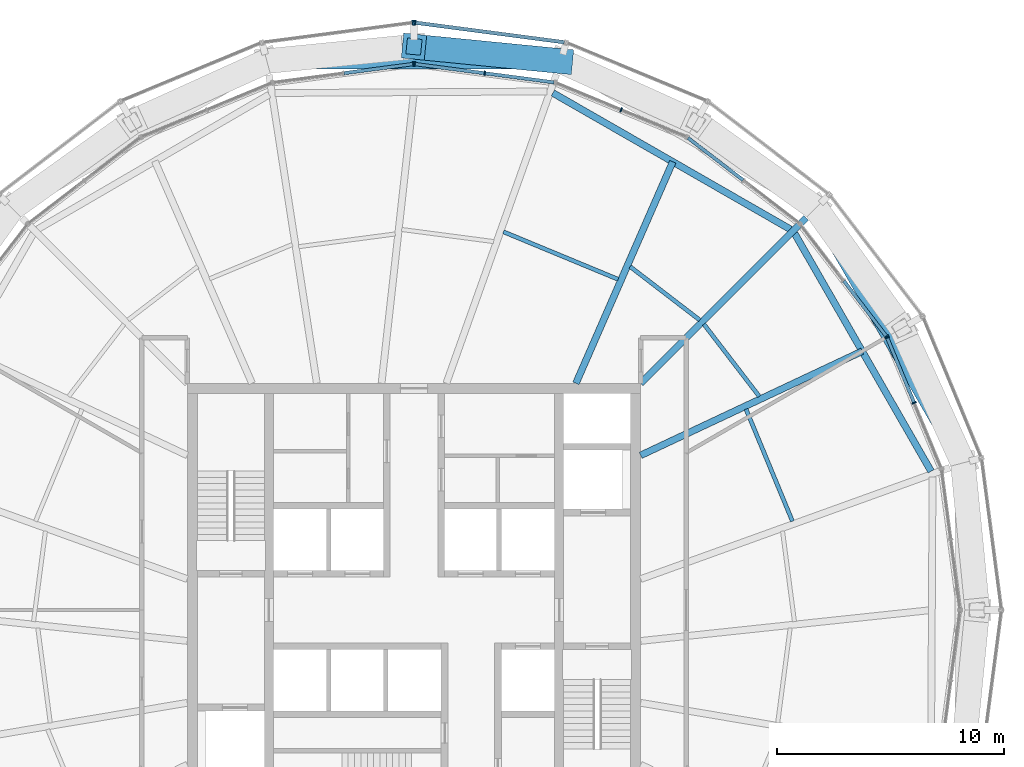
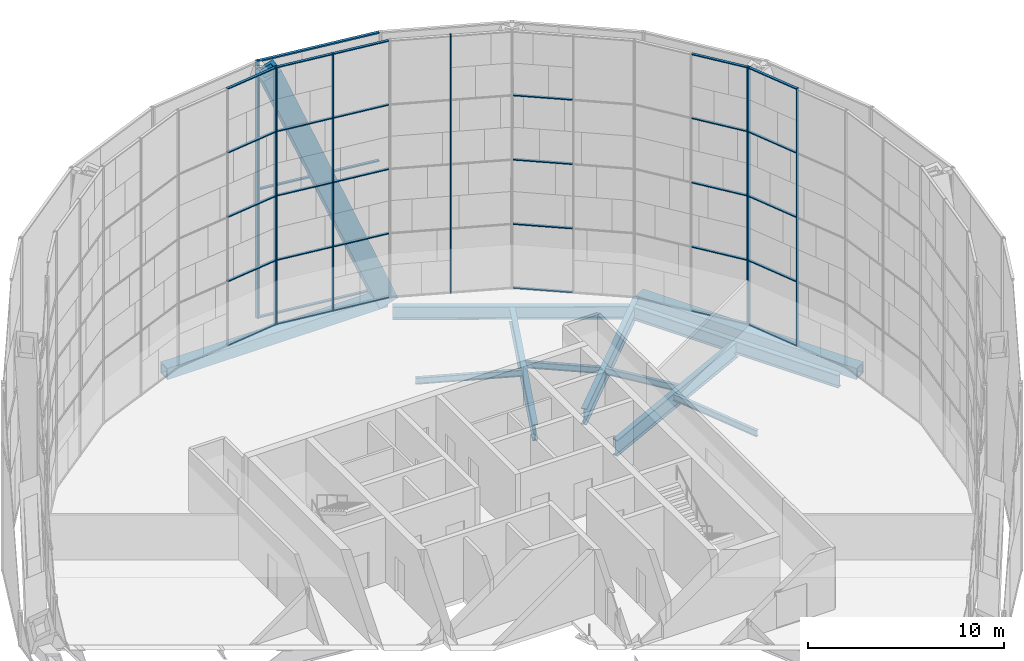
# One storey, part 10 of 30: 42 members, 11 beams, 8 elements without a shape of their own.
"""IFC4 building model written with IfcOpenShell, lengths in metres."""

from ifc_helpers import new_model, si_unit, direction, frame, origin, origin_2d, place, context, subcontext, project, spatial, rectangle, hollow_rectangle, i_section, extrude, material, material_profile, profile_set, type_object, element, aggregate, save


model = new_model("IFC4")

# Units and contexts
model_context = context("Model", 3, precision=1e-05, world=origin(), true_north=direction((0.0, 1.0)))
body_context = subcontext(model_context, "Body", "Model", "MODEL_VIEW")
ifc_project = project(units=[si_unit("LENGTHUNIT", "METRE"), si_unit("AREAUNIT", "SQUARE_METRE"), si_unit("VOLUMEUNIT", "CUBIC_METRE"), si_unit("PLANEANGLEUNIT", "RADIAN"), si_unit("MASSUNIT", "GRAM", prefix="KILO")], contexts=[model_context])

# Site, building, storey
site_placement = place(None, origin())
site = spatial("IfcSite", under=ifc_project, at=site_placement, CompositionType="ELEMENT")
building_placement = place(site_placement, origin())
building = spatial("IfcBuilding", under=site, at=building_placement, Name="Golbaran Civic Tower", CompositionType="ELEMENT")
storey_placement = place(building_placement, frame((0.0, 0.0, 167.0)))
storey = spatial("IfcBuildingStorey", under=building, at=storey_placement, Name="L40", CompositionType="ELEMENT", Elevation=167.0)

# Member
ifc_material_1 = material(Name="Steel S355", Category="steel")
ifc_material_profile_1 = material_profile(ifc_material_1, hollow_rectangle(XDim=1.10009765625, YDim=1.10009765625, WallThickness=0.199951171875, at=origin_2d()), Name="BOX 1100x1100x200")
ifc_profile_set_1 = profile_set([ifc_material_profile_1], Name="Steel S355")
member_type_1 = type_object("IfcMemberType", Name="DIAGRID DIAGONAL BOX 1100x1100x200", PredefinedType="BRACE", material=ifc_profile_set_1)
member_1_placement = place(storey_placement, frame((6.48681640625, 24.208984375, -0.7099609375), z_axis=(-0.375465296726, 0.036924758011, 0.92610062801), x_axis=(-0.097871849998, -0.995199025812, 0.0)))
element("IfcMember", 1, at=member_1_placement, inside=storey, type_object=member_type_1, Name="Diagonal D09-02R L40-L44", PredefinedType="BRACE", context=body_context, shape_type="SweptSolid", body=[
    extrude(hollow_rectangle(XDim=1.10009765625, YDim=1.10009765625, WallThickness=0.199951171875, at=origin_2d()), origin(), (0.0, 0.0, 1.0), 17.27685546875),
])

# Beams
ifc_material_profile_2 = material_profile(ifc_material_1, hollow_rectangle(XDim=0.699951171875, YDim=0.699951171875, WallThickness=0.080078125, at=origin_2d()), Name="BOX 700x700x80")
ifc_profile_set_2 = profile_set([ifc_material_profile_2], Name="Steel S355")
beam_type_1 = type_object("IfcBeamType", Name="DIAGRID RING TIE BOX 700x700x80", PredefinedType="BEAM", material=ifc_profile_set_2)
beam_1_placement = place(storey_placement, frame((24.208984375, 6.48681640625, -0.7099609375), z_axis=(-0.50000480732, 0.866022628259, 0.0), x_axis=(-0.866022628259, -0.50000480732, 0.0)))
element("IfcBeam", 2, at=beam_1_placement, inside=storey, type_object=beam_type_1, Name="Ring tie 15.00 L40", PredefinedType="BEAM", context=body_context, shape_type="SweptSolid", body=[
    extrude(hollow_rectangle(XDim=0.699951171875, YDim=0.699951171875, WallThickness=0.080078125, at=origin_2d()), origin(), (0.0, 0.0, 1.0), 12.973388671875),
])
beam_2_placement = place(storey_placement, frame((6.48681640625, 24.208984375, -0.7099609375), z_axis=(-1.0, 0.0, 0.0), x_axis=(0.0, -1.0, 0.0)))
element("IfcBeam", 3, at=beam_2_placement, inside=storey, type_object=beam_type_1, Name="Ring tie 75.00 L40", PredefinedType="BEAM", context=body_context, shape_type="SweptSolid", body=[
    extrude(hollow_rectangle(XDim=0.699951171875, YDim=0.699951171875, WallThickness=0.080078125, at=origin_2d()), origin(), (0.0, 0.0, 1.0), 12.9736328125),
])
ifc_material_profile_3 = material_profile(ifc_material_1, i_section(OverallWidth=0.300048828125, OverallDepth=0.800048828125, WebThickness=0.017578125, FlangeThickness=0.032958984375, FilletRadius=0.030029296875, at=origin_2d()), Name="HEB 800")
ifc_profile_set_3 = profile_set([ifc_material_profile_3], Name="Steel S355")
beam_type_2 = type_object("IfcBeamType", Name="EDGE BEAM HEB 800", PredefinedType="BEAM", material=ifc_profile_set_3)
beam_3_placement = place(storey_placement, frame((22.80615234375, 6.119140625, -0.60009765625), z_axis=(-0.497795229044, 0.867294592363, 0.0), x_axis=(-0.867294592363, -0.497795229044, 0.0)))
element("IfcBeam", 4, at=beam_3_placement, inside=storey, type_object=beam_type_2, Name="Edge beam 15.00 L40", PredefinedType="BEAM", context=body_context, shape_type="SweptSolid", body=[
    extrude(i_section(OverallWidth=0.300048828125, OverallDepth=0.800048828125, WebThickness=0.017578125, FlangeThickness=0.032958984375, FilletRadius=0.030029296875, at=origin_2d()), origin(), (0.0, 0.0, 1.0), 12.08935546875),
])
beam_4_placement = place(storey_placement, frame((16.604248046875, 16.7880859375, -0.60009765625), z_axis=(-0.867231771738, 0.497904663654, 0.0), x_axis=(-0.497904663654, -0.867231771738, 0.0)))
element("IfcBeam", 5, at=beam_4_placement, inside=storey, type_object=beam_type_2, Name="Edge beam 45.00 L40", PredefinedType="BEAM", context=body_context, shape_type="SweptSolid", body=[
    extrude(i_section(OverallWidth=0.300048828125, OverallDepth=0.800048828125, WebThickness=0.017578125, FlangeThickness=0.032958984375, FilletRadius=0.030029296875, at=origin_2d()), origin(), (0.0, 0.0, 1.0), 12.083740234375),
])
ifc_material_profile_4 = material_profile(ifc_material_1, i_section(OverallWidth=0.179931640625, OverallDepth=0.39990234375, WebThickness=0.008544921875, FlangeThickness=0.013427734375, FilletRadius=0.02099609375, at=origin_2d()), Name="IPE 400")
ifc_profile_set_4 = profile_set([ifc_material_profile_4], Name="Steel S355")
beam_type_3 = type_object("IfcBeamType", Name="FLOOR INFILL BEAM IPE 400", PredefinedType="BEAM", material=ifc_profile_set_4)
beam_5_placement = place(storey_placement, frame((16.69189453125, 3.9150390625, -0.39990234375), z_axis=(-0.382694171456, 0.923875084161, 0.0), x_axis=(-0.923875084161, -0.382694171456, 0.0)))
element("IfcBeam", 6, at=beam_5_placement, inside=storey, type_object=beam_type_3, Name="Infill beam 22.50 L40", PredefinedType="BEAM", context=body_context, shape_type="SweptSolid", body=[
    extrude(i_section(OverallWidth=0.179931640625, OverallDepth=0.39990234375, WebThickness=0.008544921875, FlangeThickness=0.013427734375, FilletRadius=0.02099609375, at=origin_2d()), origin(), (0.0, 0.0, 1.0), 5.35302734375),
])
beam_6_placement = place(storey_placement, frame((15.228271484375, 9.422607421875, -0.39990234375), z_axis=(-0.608780463794, 0.793338734024, 0.0), x_axis=(-0.793338734024, -0.608780463794, 0.0)))
element("IfcBeam", 7, at=beam_6_placement, inside=storey, type_object=beam_type_3, Name="Infill beam 37.50 L40", PredefinedType="BEAM", context=body_context, shape_type="SweptSolid", body=[
    extrude(i_section(OverallWidth=0.179931640625, OverallDepth=0.39990234375, WebThickness=0.008544921875, FlangeThickness=0.013427734375, FilletRadius=0.02099609375, at=origin_2d()), origin(), (0.0, 0.0, 1.0), 4.009521484375),
])
beam_7_placement = place(storey_placement, frame((12.603759765625, 12.78759765625, -0.39990234375), z_axis=(-0.793350421524, 0.608765232801, 0.0), x_axis=(-0.608765232801, -0.793350421524, 0.0)))
element("IfcBeam", 8, at=beam_7_placement, inside=storey, type_object=beam_type_3, Name="Infill beam 52.50 L40", PredefinedType="BEAM", context=body_context, shape_type="SweptSolid", body=[
    extrude(i_section(OverallWidth=0.179931640625, OverallDepth=0.39990234375, WebThickness=0.008544921875, FlangeThickness=0.013427734375, FilletRadius=0.02099609375, at=origin_2d()), origin(), (0.0, 0.0, 1.0), 3.8701171875),
])
beam_8_placement = place(storey_placement, frame((9.005126953125, 14.584228515625, -0.39990234375), z_axis=(-0.923892433922, 0.382652284119, 0.0), x_axis=(-0.382652284119, -0.923892433922, 0.0)))
element("IfcBeam", 9, at=beam_8_placement, inside=storey, type_object=beam_type_3, Name="Infill beam 67.50 L40", PredefinedType="BEAM", context=body_context, shape_type="SweptSolid", body=[
    extrude(i_section(OverallWidth=0.179931640625, OverallDepth=0.39990234375, WebThickness=0.008544921875, FlangeThickness=0.013427734375, FilletRadius=0.02099609375, at=origin_2d()), origin(), (0.0, 0.0, 1.0), 5.4775390625),
])

# Curtain wall, members
ifc_material_2 = material(Name="Aluminium and glass", Category="aluminium")
curtain_wall_type_1 = type_object("IfcCurtainWallType", Name="INNER SKIN CURTAIN WALL EXECUTIVE", PredefinedType="NOTDEFINED", material=ifc_material_2)
curtain_wall_1_placement = place(storey_placement, origin())
curtain_wall_1 = element("IfcCurtainWall", 10, at=curtain_wall_1_placement, inside=storey, type_object=curtain_wall_type_1, Name="Inner skin L40 facet 2 CW2", ObjectType="INNER SKIN", PredefinedType="USERDEFINED")
ifc_material_3 = material(Name="Aluminium", Category="aluminium")
ifc_material_profile_5 = material_profile(ifc_material_3, rectangle(XDim=0.199951171875, YDim=0.06005859375, at=origin_2d()), Name="INNER SKIN CURTAIN WALL EXECUTIVE MULLION")
ifc_profile_set_5 = profile_set([ifc_material_profile_5], Name="Aluminium")
member_type_2 = type_object("IfcMemberType", Name="INNER SKIN CURTAIN WALL EXECUTIVE MULLION", PredefinedType="MULLION", material=ifc_profile_set_5)
member_2_placement = place(storey_placement, frame((22.059326171875, 9.13720703125, 0.0), z_axis=(0.0, 0.0, 1.0), x_axis=(-0.923879532471, -0.382683432462, 0.0)))
member_2 = element("IfcMember", 11, at=member_2_placement, type_object=member_type_2, Name="CW2 mullion 2", PredefinedType="MULLION", context=body_context, shape_type="SweptSolid", body=[
    extrude(rectangle(XDim=0.199951171875, YDim=0.06005859375, at=origin_2d()), origin(), (0.0, 0.0, 1.0), 16.0),
])
member_3_placement = place(storey_placement, frame((20.867919921875, 12.013671875, 0.0), z_axis=(0.0, 0.0, 1.0), x_axis=(-0.923879532471, -0.382683432462, 0.0)))
member_3 = element("IfcMember", 12, at=member_3_placement, type_object=member_type_2, Name="CW2 mullion 3", PredefinedType="MULLION", context=body_context, shape_type="SweptSolid", body=[
    extrude(rectangle(XDim=0.199951171875, YDim=0.06005859375, at=origin_2d()), origin(), (0.0, 0.0, 1.0), 16.0),
])

# Curtain wall, member
curtain_wall_2_placement = place(storey_placement, origin())
curtain_wall_2 = element("IfcCurtainWall", 13, at=curtain_wall_2_placement, inside=storey, type_object=curtain_wall_type_1, Name="Inner skin L40 facet 3 CW2", ObjectType="INNER SKIN", PredefinedType="USERDEFINED")
member_4_placement = place(storey_placement, frame((20.838134765625, 12.065185546875, 0.0), z_axis=(0.0, 0.0, 1.0), x_axis=(-0.79335334027, -0.608761429036, 0.0)))
member_4 = element("IfcMember", 14, at=member_4_placement, type_object=member_type_2, Name="CW2 mullion 1", PredefinedType="MULLION", context=body_context, shape_type="SweptSolid", body=[
    extrude(rectangle(XDim=0.199951171875, YDim=0.06005859375, at=origin_2d()), origin(), (0.0, 0.0, 1.0), 16.0),
])

curtain_wall_3_placement = place(storey_placement, origin())
curtain_wall_3 = element("IfcCurtainWall", 15, at=curtain_wall_3_placement, inside=storey, type_object=curtain_wall_type_1, Name="Inner skin L40 facet 5 CW2", ObjectType="INNER SKIN", PredefinedType="USERDEFINED")
member_5_placement = place(storey_placement, frame((9.13720703125, 22.059326171875, 0.0), z_axis=(0.0, 0.0, 1.0), x_axis=(-0.382683432462, -0.923879532471, 0.0)))
member_5 = element("IfcMember", 16, at=member_5_placement, type_object=member_type_2, Name="CW2 mullion 2", PredefinedType="MULLION", context=body_context, shape_type="SweptSolid", body=[
    extrude(rectangle(XDim=0.199951171875, YDim=0.06005859375, at=origin_2d()), origin(), (0.0, 0.0, 1.0), 16.0),
])
aggregate(curtain_wall_3, [member_5])

# Curtain wall, members
curtain_wall_4_placement = place(storey_placement, origin())
curtain_wall_4 = element("IfcCurtainWall", 17, at=curtain_wall_4_placement, inside=storey, type_object=curtain_wall_type_1, Name="Inner skin L40 facet 6 CW2", ObjectType="INNER SKIN", PredefinedType="USERDEFINED")
member_6_placement = place(storey_placement, frame((3.116455078125, 23.672607421875, 0.0), z_axis=(0.0, 0.0, 1.0), x_axis=(-0.130526192151, -0.991444861383, 0.0)))
member_6 = element("IfcMember", 18, at=member_6_placement, type_object=member_type_2, Name="CW2 mullion 2", PredefinedType="MULLION", context=body_context, shape_type="SweptSolid", body=[
    extrude(rectangle(XDim=0.199951171875, YDim=0.06005859375, at=origin_2d()), origin(), (0.0, 0.0, 1.0), 16.0),
])
member_7_placement = place(storey_placement, frame((0.02978515625, 24.0791015625, 0.0), z_axis=(0.0, 0.0, 1.0), x_axis=(-0.130526192151, -0.991444861383, 0.0)))
member_7 = element("IfcMember", 19, at=member_7_placement, type_object=member_type_2, Name="CW2 mullion 3", PredefinedType="MULLION", context=body_context, shape_type="SweptSolid", body=[
    extrude(rectangle(XDim=0.199951171875, YDim=0.06005859375, at=origin_2d()), origin(), (0.0, 0.0, 1.0), 16.0),
])

# Curtain wall, member
curtain_wall_5_placement = place(storey_placement, origin())
curtain_wall_5 = element("IfcCurtainWall", 20, at=curtain_wall_5_placement, inside=storey, type_object=curtain_wall_type_1, Name="Inner skin L40 facet 7 CW2", ObjectType="INNER SKIN", PredefinedType="USERDEFINED")
member_8_placement = place(storey_placement, frame((-0.02978515625, 24.0791015625, 0.0), z_axis=(0.0, 0.0, 1.0), x_axis=(0.130526192151, -0.991444861383, 0.0)))
member_8 = element("IfcMember", 21, at=member_8_placement, type_object=member_type_2, Name="CW2 mullion 1", PredefinedType="MULLION", context=body_context, shape_type="SweptSolid", body=[
    extrude(rectangle(XDim=0.199951171875, YDim=0.06005859375, at=origin_2d()), origin(), (0.0, 0.0, 1.0), 16.0),
])

# Member
ifc_material_profile_6 = material_profile(ifc_material_3, rectangle(XDim=0.14990234375, YDim=0.06005859375, at=origin_2d()), Name="INNER SKIN CURTAIN WALL EXECUTIVE TRANSOM")
ifc_profile_set_6 = profile_set([ifc_material_profile_6], Name="Aluminium")
member_type_3 = type_object("IfcMemberType", Name="INNER SKIN CURTAIN WALL EXECUTIVE TRANSOM", PredefinedType="USERDEFINED", material=ifc_profile_set_6)
member_9_placement = place(storey_placement, frame((22.0478515625, 9.1650390625, 0.030029296875), z_axis=(-0.382667209253, 0.923886252177, 0.0), x_axis=(-0.923886252177, -0.382667209253, 0.0)))
member_9 = element("IfcMember", 22, at=member_9_placement, type_object=member_type_3, Name="CW2 transom 2.1", ObjectType="TRANSOM", PredefinedType="USERDEFINED", context=body_context, shape_type="SweptSolid", body=[
    extrude(rectangle(XDim=0.14990234375, YDim=0.06005859375, at=origin_2d()), origin(), (0.0, 0.0, 1.0), 3.053466796875),
])

member_10_placement = place(storey_placement, frame((22.0478515625, 9.1650390625, 4.0), z_axis=(-0.382667209253, 0.923886252177, 0.0), x_axis=(-0.923886252177, -0.382667209253, 0.0)))
member_10 = element("IfcMember", 23, at=member_10_placement, type_object=member_type_3, Name="CW2 transom 2.2", ObjectType="TRANSOM", PredefinedType="USERDEFINED", context=body_context, shape_type="SweptSolid", body=[
    extrude(rectangle(XDim=0.14990234375, YDim=0.06005859375, at=origin_2d()), origin(), (0.0, 0.0, 1.0), 3.053466796875),
])

member_11_placement = place(storey_placement, frame((22.0478515625, 9.1650390625, 8.0), z_axis=(-0.382667209253, 0.923886252177, 0.0), x_axis=(-0.923886252177, -0.382667209253, 0.0)))
member_11 = element("IfcMember", 24, at=member_11_placement, type_object=member_type_3, Name="CW2 transom 2.3", ObjectType="TRANSOM", PredefinedType="USERDEFINED", context=body_context, shape_type="SweptSolid", body=[
    extrude(rectangle(XDim=0.14990234375, YDim=0.06005859375, at=origin_2d()), origin(), (0.0, 0.0, 1.0), 3.053466796875),
])

member_12_placement = place(storey_placement, frame((22.0478515625, 9.1650390625, 12.0), z_axis=(-0.382667209253, 0.923886252177, 0.0), x_axis=(-0.923886252177, -0.382667209253, 0.0)))
member_12 = element("IfcMember", 25, at=member_12_placement, type_object=member_type_3, Name="CW2 transom 2.4", ObjectType="TRANSOM", PredefinedType="USERDEFINED", context=body_context, shape_type="SweptSolid", body=[
    extrude(rectangle(XDim=0.14990234375, YDim=0.06005859375, at=origin_2d()), origin(), (0.0, 0.0, 1.0), 3.053466796875),
])

member_13_placement = place(storey_placement, frame((22.0478515625, 9.1650390625, 15.969970703125), z_axis=(-0.382667209253, 0.923886252177, 0.0), x_axis=(-0.923886252177, -0.382667209253, 0.0)))
member_13 = element("IfcMember", 26, at=member_13_placement, type_object=member_type_3, Name="CW2 transom 2.5", ObjectType="TRANSOM", PredefinedType="USERDEFINED", context=body_context, shape_type="SweptSolid", body=[
    extrude(rectangle(XDim=0.14990234375, YDim=0.06005859375, at=origin_2d()), origin(), (0.0, 0.0, 1.0), 3.053466796875),
])

aggregate(curtain_wall_1, [member_2, member_3, member_9, member_10, member_11, member_12, member_13])

member_14_placement = place(storey_placement, frame((20.820068359375, 12.089111328125, 0.030029296875), z_axis=(-0.6087906992, 0.793330879625, 0.0), x_axis=(-0.793330879625, -0.6087906992, 0.0)))
member_14 = element("IfcMember", 27, at=member_14_placement, type_object=member_type_3, Name="CW2 transom 1.1", ObjectType="TRANSOM", PredefinedType="USERDEFINED", context=body_context, shape_type="SweptSolid", body=[
    extrude(rectangle(XDim=0.14990234375, YDim=0.06005859375, at=origin_2d()), origin(), (0.0, 0.0, 1.0), 3.053466796875),
])

member_15_placement = place(storey_placement, frame((20.820068359375, 12.089111328125, 4.0), z_axis=(-0.6087906992, 0.793330879625, 0.0), x_axis=(-0.793330879625, -0.6087906992, 0.0)))
member_15 = element("IfcMember", 28, at=member_15_placement, type_object=member_type_3, Name="CW2 transom 1.2", ObjectType="TRANSOM", PredefinedType="USERDEFINED", context=body_context, shape_type="SweptSolid", body=[
    extrude(rectangle(XDim=0.14990234375, YDim=0.06005859375, at=origin_2d()), origin(), (0.0, 0.0, 1.0), 3.053466796875),
])

member_16_placement = place(storey_placement, frame((20.820068359375, 12.089111328125, 8.0), z_axis=(-0.6087906992, 0.793330879625, 0.0), x_axis=(-0.793330879625, -0.6087906992, 0.0)))
member_16 = element("IfcMember", 29, at=member_16_placement, type_object=member_type_3, Name="CW2 transom 1.3", ObjectType="TRANSOM", PredefinedType="USERDEFINED", context=body_context, shape_type="SweptSolid", body=[
    extrude(rectangle(XDim=0.14990234375, YDim=0.06005859375, at=origin_2d()), origin(), (0.0, 0.0, 1.0), 3.053466796875),
])

member_17_placement = place(storey_placement, frame((20.820068359375, 12.089111328125, 12.0), z_axis=(-0.6087906992, 0.793330879625, 0.0), x_axis=(-0.793330879625, -0.6087906992, 0.0)))
member_17 = element("IfcMember", 30, at=member_17_placement, type_object=member_type_3, Name="CW2 transom 1.4", ObjectType="TRANSOM", PredefinedType="USERDEFINED", context=body_context, shape_type="SweptSolid", body=[
    extrude(rectangle(XDim=0.14990234375, YDim=0.06005859375, at=origin_2d()), origin(), (0.0, 0.0, 1.0), 3.053466796875),
])

member_18_placement = place(storey_placement, frame((20.820068359375, 12.089111328125, 15.969970703125), z_axis=(-0.6087906992, 0.793330879625, 0.0), x_axis=(-0.793330879625, -0.6087906992, 0.0)))
member_18 = element("IfcMember", 31, at=member_18_placement, type_object=member_type_3, Name="CW2 transom 1.5", ObjectType="TRANSOM", PredefinedType="USERDEFINED", context=body_context, shape_type="SweptSolid", body=[
    extrude(rectangle(XDim=0.14990234375, YDim=0.06005859375, at=origin_2d()), origin(), (0.0, 0.0, 1.0), 3.053466796875),
])

aggregate(curtain_wall_2, [member_4, member_14, member_15, member_16, member_17, member_18])

# Curtain wall, members
curtain_wall_6_placement = place(storey_placement, origin())
curtain_wall_6 = element("IfcCurtainWall", 32, at=curtain_wall_6_placement, inside=storey, type_object=curtain_wall_type_1, Name="Inner skin L40 facet 4 CW2", ObjectType="INNER SKIN", PredefinedType="USERDEFINED")
member_19_placement = place(storey_placement, frame((14.511474609375, 18.961181640625, 0.030029296875), z_axis=(-0.793330879625, 0.6087906992, 0.0), x_axis=(-0.6087906992, -0.793330879625, 0.0)))
member_19 = element("IfcMember", 33, at=member_19_placement, type_object=member_type_3, Name="CW2 transom 2.1", ObjectType="TRANSOM", PredefinedType="USERDEFINED", context=body_context, shape_type="SweptSolid", body=[
    extrude(rectangle(XDim=0.14990234375, YDim=0.06005859375, at=origin_2d()), origin(), (0.0, 0.0, 1.0), 3.053466796875),
])
member_20_placement = place(storey_placement, frame((14.511474609375, 18.961181640625, 4.0), z_axis=(-0.793330879625, 0.6087906992, 0.0), x_axis=(-0.6087906992, -0.793330879625, 0.0)))
member_20 = element("IfcMember", 34, at=member_20_placement, type_object=member_type_3, Name="CW2 transom 2.2", ObjectType="TRANSOM", PredefinedType="USERDEFINED", context=body_context, shape_type="SweptSolid", body=[
    extrude(rectangle(XDim=0.14990234375, YDim=0.06005859375, at=origin_2d()), origin(), (0.0, 0.0, 1.0), 3.053466796875),
])
member_21_placement = place(storey_placement, frame((14.511474609375, 18.961181640625, 8.0), z_axis=(-0.793330879625, 0.6087906992, 0.0), x_axis=(-0.6087906992, -0.793330879625, 0.0)))
member_21 = element("IfcMember", 35, at=member_21_placement, type_object=member_type_3, Name="CW2 transom 2.3", ObjectType="TRANSOM", PredefinedType="USERDEFINED", context=body_context, shape_type="SweptSolid", body=[
    extrude(rectangle(XDim=0.14990234375, YDim=0.06005859375, at=origin_2d()), origin(), (0.0, 0.0, 1.0), 3.053466796875),
])
member_22_placement = place(storey_placement, frame((14.511474609375, 18.961181640625, 12.0), z_axis=(-0.793330879625, 0.6087906992, 0.0), x_axis=(-0.6087906992, -0.793330879625, 0.0)))
member_22 = element("IfcMember", 36, at=member_22_placement, type_object=member_type_3, Name="CW2 transom 2.4", ObjectType="TRANSOM", PredefinedType="USERDEFINED", context=body_context, shape_type="SweptSolid", body=[
    extrude(rectangle(XDim=0.14990234375, YDim=0.06005859375, at=origin_2d()), origin(), (0.0, 0.0, 1.0), 3.053466796875),
])
aggregate(curtain_wall_6, [member_19, member_20, member_21, member_22])

# Member
member_23_placement = place(storey_placement, frame((6.173583984375, 23.270263671875, 0.030029296875), z_axis=(-0.991449940701, 0.130487605099, 0.0), x_axis=(-0.130487605099, -0.991449940701, 0.0)))
member_23 = element("IfcMember", 37, at=member_23_placement, type_object=member_type_3, Name="CW2 transom 1.1", ObjectType="TRANSOM", PredefinedType="USERDEFINED", context=body_context, shape_type="SweptSolid", body=[
    extrude(rectangle(XDim=0.14990234375, YDim=0.06005859375, at=origin_2d()), origin(), (0.0, 0.0, 1.0), 3.053466796875),
])

member_24_placement = place(storey_placement, frame((6.173583984375, 23.270263671875, 4.0), z_axis=(-0.991449940701, 0.130487605099, 0.0), x_axis=(-0.130487605099, -0.991449940701, 0.0)))
member_24 = element("IfcMember", 38, at=member_24_placement, type_object=member_type_3, Name="CW2 transom 1.2", ObjectType="TRANSOM", PredefinedType="USERDEFINED", context=body_context, shape_type="SweptSolid", body=[
    extrude(rectangle(XDim=0.14990234375, YDim=0.06005859375, at=origin_2d()), origin(), (0.0, 0.0, 1.0), 3.053466796875),
])

member_25_placement = place(storey_placement, frame((6.173583984375, 23.270263671875, 8.0), z_axis=(-0.991449940701, 0.130487605099, 0.0), x_axis=(-0.130487605099, -0.991449940701, 0.0)))
member_25 = element("IfcMember", 39, at=member_25_placement, type_object=member_type_3, Name="CW2 transom 1.3", ObjectType="TRANSOM", PredefinedType="USERDEFINED", context=body_context, shape_type="SweptSolid", body=[
    extrude(rectangle(XDim=0.14990234375, YDim=0.06005859375, at=origin_2d()), origin(), (0.0, 0.0, 1.0), 3.053466796875),
])

member_26_placement = place(storey_placement, frame((6.173583984375, 23.270263671875, 12.0), z_axis=(-0.991449940701, 0.130487605099, 0.0), x_axis=(-0.130487605099, -0.991449940701, 0.0)))
member_26 = element("IfcMember", 40, at=member_26_placement, type_object=member_type_3, Name="CW2 transom 1.4", ObjectType="TRANSOM", PredefinedType="USERDEFINED", context=body_context, shape_type="SweptSolid", body=[
    extrude(rectangle(XDim=0.14990234375, YDim=0.06005859375, at=origin_2d()), origin(), (0.0, 0.0, 1.0), 3.053466796875),
])

member_27_placement = place(storey_placement, frame((6.173583984375, 23.270263671875, 15.969970703125), z_axis=(-0.991449940701, 0.130487605099, 0.0), x_axis=(-0.130487605099, -0.991449940701, 0.0)))
member_27 = element("IfcMember", 41, at=member_27_placement, type_object=member_type_3, Name="CW2 transom 1.5", ObjectType="TRANSOM", PredefinedType="USERDEFINED", context=body_context, shape_type="SweptSolid", body=[
    extrude(rectangle(XDim=0.14990234375, YDim=0.06005859375, at=origin_2d()), origin(), (0.0, 0.0, 1.0), 3.053466796875),
])

member_28_placement = place(storey_placement, frame((3.0869140625, 23.676513671875, 0.030029296875), z_axis=(-0.991439593678, 0.130566198103, 0.0), x_axis=(-0.130566198103, -0.991439593678, 0.0)))
member_28 = element("IfcMember", 42, at=member_28_placement, type_object=member_type_3, Name="CW2 transom 2.1", ObjectType="TRANSOM", PredefinedType="USERDEFINED", context=body_context, shape_type="SweptSolid", body=[
    extrude(rectangle(XDim=0.14990234375, YDim=0.06005859375, at=origin_2d()), origin(), (0.0, 0.0, 1.0), 3.053466796875),
])

member_29_placement = place(storey_placement, frame((3.0869140625, 23.676513671875, 4.0), z_axis=(-0.991439593678, 0.130566198103, 0.0), x_axis=(-0.130566198103, -0.991439593678, 0.0)))
member_29 = element("IfcMember", 43, at=member_29_placement, type_object=member_type_3, Name="CW2 transom 2.2", ObjectType="TRANSOM", PredefinedType="USERDEFINED", context=body_context, shape_type="SweptSolid", body=[
    extrude(rectangle(XDim=0.14990234375, YDim=0.06005859375, at=origin_2d()), origin(), (0.0, 0.0, 1.0), 3.053466796875),
])

member_30_placement = place(storey_placement, frame((3.0869140625, 23.676513671875, 8.0), z_axis=(-0.991439593678, 0.130566198103, 0.0), x_axis=(-0.130566198103, -0.991439593678, 0.0)))
member_30 = element("IfcMember", 44, at=member_30_placement, type_object=member_type_3, Name="CW2 transom 2.3", ObjectType="TRANSOM", PredefinedType="USERDEFINED", context=body_context, shape_type="SweptSolid", body=[
    extrude(rectangle(XDim=0.14990234375, YDim=0.06005859375, at=origin_2d()), origin(), (0.0, 0.0, 1.0), 3.053466796875),
])

member_31_placement = place(storey_placement, frame((3.0869140625, 23.676513671875, 12.0), z_axis=(-0.991439593678, 0.130566198103, 0.0), x_axis=(-0.130566198103, -0.991439593678, 0.0)))
member_31 = element("IfcMember", 45, at=member_31_placement, type_object=member_type_3, Name="CW2 transom 2.4", ObjectType="TRANSOM", PredefinedType="USERDEFINED", context=body_context, shape_type="SweptSolid", body=[
    extrude(rectangle(XDim=0.14990234375, YDim=0.06005859375, at=origin_2d()), origin(), (0.0, 0.0, 1.0), 3.053466796875),
])

member_32_placement = place(storey_placement, frame((3.0869140625, 23.676513671875, 15.969970703125), z_axis=(-0.991439593678, 0.130566198103, 0.0), x_axis=(-0.130566198103, -0.991439593678, 0.0)))
member_32 = element("IfcMember", 46, at=member_32_placement, type_object=member_type_3, Name="CW2 transom 2.5", ObjectType="TRANSOM", PredefinedType="USERDEFINED", context=body_context, shape_type="SweptSolid", body=[
    extrude(rectangle(XDim=0.14990234375, YDim=0.06005859375, at=origin_2d()), origin(), (0.0, 0.0, 1.0), 3.053466796875),
])

aggregate(curtain_wall_4, [member_6, member_7, member_23, member_24, member_25, member_26, member_27, member_28, member_29, member_30, member_31, member_32])

member_33_placement = place(storey_placement, frame((-0.0595703125, 24.0751953125, 0.030029296875), z_axis=(-0.991439593678, -0.130566198103, 0.0), x_axis=(0.130566198103, -0.991439593678, 0.0)))
member_33 = element("IfcMember", 47, at=member_33_placement, type_object=member_type_3, Name="CW2 transom 1.1", ObjectType="TRANSOM", PredefinedType="USERDEFINED", context=body_context, shape_type="SweptSolid", body=[
    extrude(rectangle(XDim=0.14990234375, YDim=0.06005859375, at=origin_2d()), origin(), (0.0, 0.0, 1.0), 3.053466796875),
])

member_34_placement = place(storey_placement, frame((-0.0595703125, 24.0751953125, 4.0), z_axis=(-0.991439593678, -0.130566198103, 0.0), x_axis=(0.130566198103, -0.991439593678, 0.0)))
member_34 = element("IfcMember", 48, at=member_34_placement, type_object=member_type_3, Name="CW2 transom 1.2", ObjectType="TRANSOM", PredefinedType="USERDEFINED", context=body_context, shape_type="SweptSolid", body=[
    extrude(rectangle(XDim=0.14990234375, YDim=0.06005859375, at=origin_2d()), origin(), (0.0, 0.0, 1.0), 3.053466796875),
])

member_35_placement = place(storey_placement, frame((-0.0595703125, 24.0751953125, 8.0), z_axis=(-0.991439593678, -0.130566198103, 0.0), x_axis=(0.130566198103, -0.991439593678, 0.0)))
member_35 = element("IfcMember", 49, at=member_35_placement, type_object=member_type_3, Name="CW2 transom 1.3", ObjectType="TRANSOM", PredefinedType="USERDEFINED", context=body_context, shape_type="SweptSolid", body=[
    extrude(rectangle(XDim=0.14990234375, YDim=0.06005859375, at=origin_2d()), origin(), (0.0, 0.0, 1.0), 3.053466796875),
])

member_36_placement = place(storey_placement, frame((-0.0595703125, 24.0751953125, 12.0), z_axis=(-0.991439593678, -0.130566198103, 0.0), x_axis=(0.130566198103, -0.991439593678, 0.0)))
member_36 = element("IfcMember", 50, at=member_36_placement, type_object=member_type_3, Name="CW2 transom 1.4", ObjectType="TRANSOM", PredefinedType="USERDEFINED", context=body_context, shape_type="SweptSolid", body=[
    extrude(rectangle(XDim=0.14990234375, YDim=0.06005859375, at=origin_2d()), origin(), (0.0, 0.0, 1.0), 3.053466796875),
])

member_37_placement = place(storey_placement, frame((-0.0595703125, 24.0751953125, 15.969970703125), z_axis=(-0.991439593678, -0.130566198103, 0.0), x_axis=(0.130566198103, -0.991439593678, 0.0)))
member_37 = element("IfcMember", 51, at=member_37_placement, type_object=member_type_3, Name="CW2 transom 1.5", ObjectType="TRANSOM", PredefinedType="USERDEFINED", context=body_context, shape_type="SweptSolid", body=[
    extrude(rectangle(XDim=0.14990234375, YDim=0.06005859375, at=origin_2d()), origin(), (0.0, 0.0, 1.0), 3.053466796875),
])

aggregate(curtain_wall_5, [member_8, member_33, member_34, member_35, member_36, member_37])

# Curtain wall, member
curtain_wall_type_2 = type_object("IfcCurtainWallType", Name="OUTER SKIN TERRACOTTA SCREEN", PredefinedType="NOTDEFINED", material=ifc_material_2)
curtain_wall_7_placement = place(storey_placement, origin())
curtain_wall_7 = element("IfcCurtainWall", 52, at=curtain_wall_7_placement, inside=storey, type_object=curtain_wall_type_2, Name="Outer skin L40 facet 6 CW3", ObjectType="OUTER SKIN", PredefinedType="USERDEFINED")
ifc_material_profile_7 = material_profile(ifc_material_3, rectangle(XDim=0.219970703125, YDim=0.080078125, at=origin_2d()), Name="OUTER SKIN TERRACOTTA SCREEN MULLION")
ifc_profile_set_7 = profile_set([ifc_material_profile_7], Name="Aluminium")
member_type_4 = type_object("IfcMemberType", Name="OUTER SKIN TERRACOTTA SCREEN MULLION", PredefinedType="MULLION", material=ifc_profile_set_7)
member_38_placement = place(storey_placement, frame((0.03955078125, 25.90771484375, -0.7099609375), z_axis=(0.0, 0.0, 1.0), x_axis=(-0.130526192168, -0.991444861381, 0.0)))
member_38 = element("IfcMember", 53, at=member_38_placement, type_object=member_type_4, Name="CW3 mullion 2", PredefinedType="MULLION", context=body_context, shape_type="SweptSolid", body=[
    extrude(rectangle(XDim=0.219970703125, YDim=0.080078125, at=origin_2d()), origin(), (0.0, 0.0, 1.0), 16.0),
])

curtain_wall_8_placement = place(storey_placement, origin())
curtain_wall_8 = element("IfcCurtainWall", 54, at=curtain_wall_8_placement, inside=storey, type_object=curtain_wall_type_2, Name="Outer skin L40 facet 7 CW3", ObjectType="OUTER SKIN", PredefinedType="USERDEFINED")
member_39_placement = place(storey_placement, frame((-0.03955078125, 25.90771484375, -0.7099609375), z_axis=(0.0, 0.0, 1.0), x_axis=(0.130526192168, -0.991444861381, 0.0)))
member_39 = element("IfcMember", 55, at=member_39_placement, type_object=member_type_4, Name="CW3 mullion 1", PredefinedType="MULLION", context=body_context, shape_type="SweptSolid", body=[
    extrude(rectangle(XDim=0.219970703125, YDim=0.080078125, at=origin_2d()), origin(), (0.0, 0.0, 1.0), 16.0),
])
aggregate(curtain_wall_8, [member_39])

# Member
ifc_material_profile_8 = material_profile(ifc_material_3, rectangle(XDim=0.159912109375, YDim=0.080078125, at=origin_2d()), Name="OUTER SKIN TERRACOTTA SCREEN TRANSOM")
ifc_profile_set_8 = profile_set([ifc_material_profile_8], Name="Aluminium")
member_type_5 = type_object("IfcMemberType", Name="OUTER SKIN TERRACOTTA SCREEN TRANSOM", PredefinedType="USERDEFINED", material=ifc_profile_set_8)
member_40_placement = place(storey_placement, frame((6.62744140625, 25.04052734375, -0.669921875), z_axis=(-0.991445108389, 0.130524315936, 0.0), x_axis=(-0.130524315936, -0.991445108389, 0.0)))
member_40 = element("IfcMember", 56, at=member_40_placement, type_object=member_type_5, Name="CW3 transom 1.1", ObjectType="TRANSOM", PredefinedType="USERDEFINED", context=body_context, shape_type="SweptSolid", body=[
    extrude(rectangle(XDim=0.159912109375, YDim=0.080078125, at=origin_2d()), origin(), (0.0, 0.0, 1.0), 6.6044921875),
])

member_41_placement = place(storey_placement, frame((6.62744140625, 25.04052734375, 7.2900390625), z_axis=(-0.991445108389, 0.130524315936, 0.0), x_axis=(-0.130524315936, -0.991445108389, 0.0)))
member_41 = element("IfcMember", 57, at=member_41_placement, type_object=member_type_5, Name="CW3 transom 1.2", ObjectType="TRANSOM", PredefinedType="USERDEFINED", context=body_context, shape_type="SweptSolid", body=[
    extrude(rectangle(XDim=0.159912109375, YDim=0.080078125, at=origin_2d()), origin(), (0.0, 0.0, 1.0), 6.6044921875),
])

member_42_placement = place(storey_placement, frame((6.62744140625, 25.04052734375, 15.25), z_axis=(-0.991445108389, 0.130524315936, 0.0), x_axis=(-0.130524315936, -0.991445108389, 0.0)))
member_42 = element("IfcMember", 58, at=member_42_placement, type_object=member_type_5, Name="CW3 transom 1.3", ObjectType="TRANSOM", PredefinedType="USERDEFINED", context=body_context, shape_type="SweptSolid", body=[
    extrude(rectangle(XDim=0.159912109375, YDim=0.080078125, at=origin_2d()), origin(), (0.0, 0.0, 1.0), 6.6044921875),
])

aggregate(curtain_wall_7, [member_38, member_40, member_41, member_42])

# Beams
ifc_material_profile_9 = material_profile(ifc_material_1, i_section(OverallWidth=0.300048828125, OverallDepth=1.0, WebThickness=0.01904296875, FlangeThickness=0.035888671875, FilletRadius=0.030029296875, at=origin_2d()), Name="HEB 1000")
ifc_profile_set_9 = profile_set([ifc_material_profile_9], Name="Steel S355")
beam_type_4 = type_object("IfcBeamType", Name="RADIAL FLOOR BEAM HEB 1000", PredefinedType="BEAM", material=ifc_profile_set_9)
beam_9_placement = place(storey_placement, frame((10.0, 10.0, -0.7099609375), z_axis=(0.707106781187, 0.707106781187, 0.0), x_axis=(-0.707106781187, 0.707106781187, 0.0)))
element("IfcBeam", 59, at=beam_9_placement, inside=storey, type_object=beam_type_4, Name="Radial beam 45.00 L40", PredefinedType="BEAM", context=body_context, shape_type="SweptSolid", body=[
    extrude(i_section(OverallWidth=0.300048828125, OverallDepth=1.0, WebThickness=0.01904296875, FlangeThickness=0.035888671875, FilletRadius=0.030029296875, at=origin_2d()), origin(), (0.0, 0.0, 1.0), 10.317626953125),
])
ifc_material_profile_10 = material_profile(ifc_material_1, i_section(OverallWidth=0.300048828125, OverallDepth=1.0, WebThickness=0.01904296875, FlangeThickness=0.035888671875, FilletRadius=0.030029296875, at=origin_2d()), Name="HEB 1000")
ifc_profile_set_10 = profile_set([ifc_material_profile_10], Name="Steel S355")
beam_type_5 = type_object("IfcBeamType", Name="SECONDARY FLOOR BEAM HEB 1000", PredefinedType="BEAM", material=ifc_profile_set_10)
beam_10_placement = place(storey_placement, frame((10.0, 6.821533203125, -0.7099609375), z_axis=(0.905004194739, 0.425402641628, 0.0), x_axis=(-0.425402641628, 0.905004194739, 0.0)))
element("IfcBeam", 60, at=beam_10_placement, inside=storey, type_object=beam_type_5, Name="Secondary beam 30.00 L40", PredefinedType="BEAM", context=body_context, shape_type="SweptSolid", body=[
    extrude(i_section(OverallWidth=0.300048828125, OverallDepth=1.0, WebThickness=0.01904296875, FlangeThickness=0.035888671875, FilletRadius=0.030029296875, at=origin_2d()), origin(), (0.0, 0.0, 1.0), 10.79296875),
])
beam_11_placement = place(storey_placement, frame((7.142822265625, 10.0, -0.7099609375), z_axis=(0.400572547153, 0.916265045971, 0.0), x_axis=(-0.916265045971, 0.400572547153, 0.0)))
element("IfcBeam", 61, at=beam_11_placement, inside=storey, type_object=beam_type_5, Name="Secondary beam 60.00 L40", PredefinedType="BEAM", context=body_context, shape_type="SweptSolid", body=[
    extrude(i_section(OverallWidth=0.300048828125, OverallDepth=1.0, WebThickness=0.01904296875, FlangeThickness=0.035888671875, FilletRadius=0.030029296875, at=origin_2d()), origin(), (0.0, 0.0, 1.0), 10.660888671875),
])

save(model, "model.ifc")
